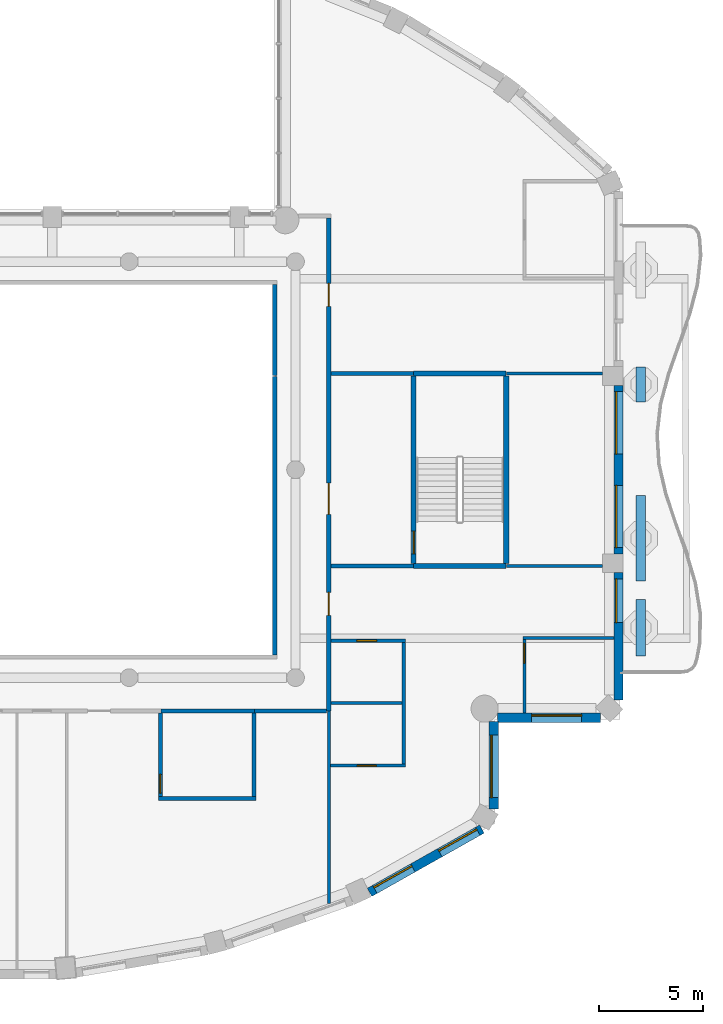
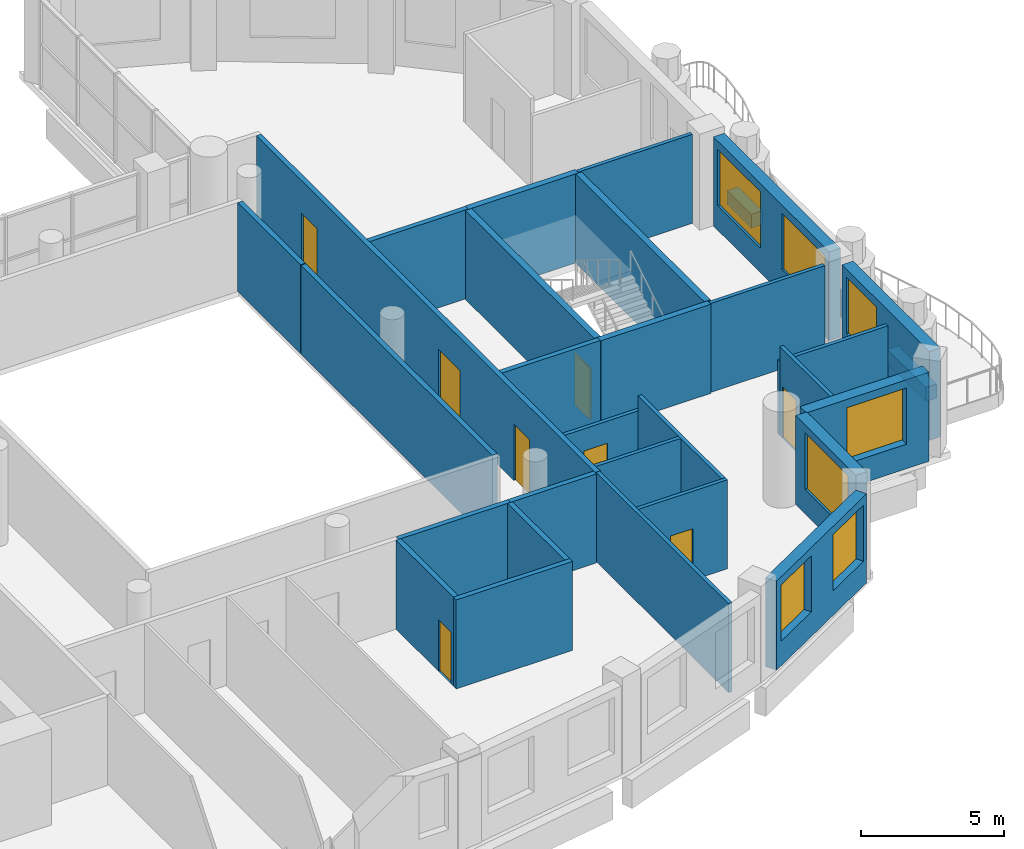
# One storey, part 6 of 15: 31 walls, 8 doors, 7 windows, 15 openings.
"""IFC4 building model written with IfcOpenShell, lengths in metres."""

from ifc_helpers import new_model, si_unit, direction, frame, frame_2d, origin, place, context, subcontext, project, spatial, rectangle, extrude, material, layer, layer_set, type_object, element, fill, save


model = new_model("IFC4")

# Units and contexts
model_context = context("Model", 3, precision=1e-05, world=origin(), true_north=direction((0.0, 1.0)))
body_context = subcontext(model_context, "Body", "Model", "MODEL_VIEW")
ifc_project = project(units=[si_unit("LENGTHUNIT", "METRE"), si_unit("AREAUNIT", "SQUARE_METRE"), si_unit("VOLUMEUNIT", "CUBIC_METRE"), si_unit("PLANEANGLEUNIT", "RADIAN"), si_unit("MASSUNIT", "GRAM", prefix="KILO")], contexts=[model_context])

# Site, building, storey
site_placement = place(None, origin())
site = spatial("IfcSite", under=ifc_project, at=site_placement, CompositionType="ELEMENT")
building_placement = place(site_placement, origin())
building = spatial("IfcBuilding", under=site, at=building_placement, Name="Cypress Arch Tower", CompositionType="ELEMENT")
storey_placement = place(building_placement, frame((0.0, 0.0, 292.60009765625)))
storey = spatial("IfcBuildingStorey", under=building, at=storey_placement, Name="L66", CompositionType="ELEMENT", Elevation=292.60009765625)

# Walls
ifc_material_1 = material(Name="Concrete C40/50, waterproofed", Category="concrete")
ifc_layer_1 = layer(ifc_material_1, 0.449951171875)
ifc_layer_set_1 = layer_set([ifc_layer_1], Name="Balcony planter wall PW450")
wall_type_1 = type_object("IfcWallType", Name="Balcony planter wall PW450", PredefinedType="SOLIDWALL", material=ifc_layer_set_1)
wall_1_placement = place(storey_placement, frame((25.60009765625, -8.949951171875, 0.0), z_axis=(0.0, 0.0, 1.0), x_axis=(0.0, 1.0, 0.0)))
element("IfcWall", 1, at=wall_1_placement, inside=storey, type_object=wall_type_1, Name="Balcony planter wall L66-C17.1", PredefinedType="SOLIDWALL", context=body_context, shape_type="SweptSolid", body=[
    extrude(rectangle(XDim=2.699951171875, YDim=0.449951171875, at=frame_2d((1.35009765625, 0.0))), origin(), (0.0, 0.0, 1.0), 0.599853515625),
])
wall_2_placement = place(storey_placement, frame((25.60009765625, -5.35009765625, 0.0), z_axis=(0.0, 0.0, 1.0), x_axis=(0.0, 1.0, 0.0)))
element("IfcWall", 2, at=wall_2_placement, inside=storey, type_object=wall_type_1, Name="Balcony planter wall L66-C17.2", PredefinedType="SOLIDWALL", context=body_context, shape_type="SweptSolid", body=[
    extrude(rectangle(XDim=4.10009765625, YDim=0.449951171875, at=frame_2d((2.050048828125, 0.0))), origin(), (0.0, 0.0, 1.0), 0.599853515625),
])
wall_3_placement = place(storey_placement, frame((25.60009765625, 3.25, 0.0), z_axis=(0.0, 0.0, 1.0), x_axis=(0.0, 1.0, 0.0)))
element("IfcWall", 3, at=wall_3_placement, inside=storey, type_object=wall_type_1, Name="Balcony planter wall L66-C17.3", PredefinedType="SOLIDWALL", context=body_context, shape_type="SweptSolid", body=[
    extrude(rectangle(XDim=1.69140625, YDim=0.449951171875, at=frame_2d((0.845703125, 0.0))), origin(), (0.0, 0.0, 1.0), 0.599853515625),
])

# Wall, openings, windows
ifc_material_2 = material(Name="Brick (red buff blend)", Category="masonry")
ifc_layer_2 = layer(ifc_material_2, 0.449951171875)
ifc_layer_set_2 = layer_set([ifc_layer_2], Name="Brick pier and spandrel wall BW450")
wall_type_2 = type_object("IfcWallType", Name="Brick pier and spandrel wall BW450", PredefinedType="SOLIDWALL", material=ifc_layer_set_2)
wall_4_placement = place(storey_placement, frame((12.55908203125, -20.320068359375, 0.0), z_axis=(0.0, 0.0, 1.0), x_axis=(0.871065783524, 0.491166367714, 0.0)))
wall_4 = element("IfcWall", 4, at=wall_4_placement, inside=storey, type_object=wall_type_2, Name="Brick wall L66 C14.0", PredefinedType="SOLIDWALL", context=body_context, shape_type="SweptSolid", body=[
    extrude(rectangle(XDim=6.1962890625, YDim=0.449951171875, at=frame_2d((3.09814453125, 0.0))), origin(), (0.0, 0.0, 1.0), 3.7998046875),
])
opening_1_placement = place(wall_4_placement, frame((0.29052734375, 0.0, 1.050048828125)))
opening_1 = element("IfcOpeningElement", 5, at=opening_1_placement, cuts=wall_4, Name="Opening W210O", PredefinedType="OPENING", context=body_context, shape_type="SweptSolid", body=[
    extrude(rectangle(XDim=2.10009765625, YDim=2.39990234375, at=frame_2d((1.050048828125, 1.199951171875))), frame((0.0, 0.23486328125, 0.0), z_axis=(0.0, -1.0, 0.0), x_axis=(1.0, 0.0, 0.0)), (0.0, 0.0, 1.0), 0.469970703125),
])
opening_2_placement = place(wall_4_placement, frame((3.875244140625, 0.0, 1.050048828125)))
opening_2 = element("IfcOpeningElement", 6, at=opening_2_placement, cuts=wall_4, Name="Opening W210O", PredefinedType="OPENING", context=body_context, shape_type="SweptSolid", body=[
    extrude(rectangle(XDim=2.10009765625, YDim=2.39990234375, at=frame_2d((1.050048828125, 1.199951171875))), frame((0.0, 0.23486328125, 0.0), z_axis=(0.0, -1.0, 0.0), x_axis=(1.0, 0.0, 0.0)), (0.0, 0.0, 1.0), 0.469970703125),
])
ifc_material_3 = material(Name="Anodised aluminium, bronze finish, clear low-emissivity double glazing", Category="aluminium")
window_type_1 = type_object("IfcWindowType", Name="Window Office 2100x2400", PartitioningType="SINGLE_PANEL", PredefinedType="WINDOW", material=ifc_material_3)
window_1_placement = place(opening_1_placement, origin())
window_1 = element("IfcWindow", 7, at=window_1_placement, inside=storey, type_object=window_type_1, Name="Window L66 C14.0.1", OverallHeight=2.39990234375, OverallWidth=2.10009765625, PartitioningType="SINGLE_PANEL", PredefinedType="WINDOW", context=body_context, shape_type="SweptSolid", body=[
    extrude(rectangle(XDim=2.10009765625, YDim=2.39990234375, at=frame_2d((1.050048828125, 1.199951171875))), frame((0.0, 0.135009765625, 0.0), z_axis=(0.0, -1.0, 0.0), x_axis=(1.0, 0.0, 0.0)), (0.0, 0.0, 1.0), 0.06005859375),
])
fill(opening_1, window_1)
window_2_placement = place(opening_2_placement, origin())
window_2 = element("IfcWindow", 8, at=window_2_placement, inside=storey, type_object=window_type_1, Name="Window L66 C14.0.2", OverallHeight=2.39990234375, OverallWidth=2.10009765625, PartitioningType="SINGLE_PANEL", PredefinedType="WINDOW", context=body_context, shape_type="SweptSolid", body=[
    extrude(rectangle(XDim=2.10009765625, YDim=2.39990234375, at=frame_2d((1.050048828125, 1.199951171875))), frame((0.0, 0.135009765625, 0.0), z_axis=(0.0, -1.0, 0.0), x_axis=(1.0, 0.0, 0.0)), (0.0, 0.0, 1.0), 0.06005859375),
])
fill(opening_2, window_2)

# Wall, opening, window
wall_5_placement = place(storey_placement, frame((18.52490234375, -16.3037109375, 0.0), z_axis=(0.0, 0.0, 1.0), x_axis=(0.0, 1.0, 0.0)))
wall_5 = element("IfcWall", 9, at=wall_5_placement, inside=storey, type_object=wall_type_2, Name="Brick wall L66 C15.0", PredefinedType="SOLIDWALL", context=body_context, shape_type="SweptSolid", body=[
    extrude(rectangle(XDim=4.2021484375, YDim=0.449951171875, at=frame_2d((2.10107421875, 0.0))), origin(), (0.0, 0.0, 1.0), 3.7998046875),
])
opening_3_placement = place(wall_5_placement, frame((0.541259765625, 0.0, 1.050048828125)))
opening_3 = element("IfcOpeningElement", 10, at=opening_3_placement, cuts=wall_5, Name="Opening W300O", PredefinedType="OPENING", context=body_context, shape_type="SweptSolid", body=[
    extrude(rectangle(XDim=3.0, YDim=2.39990234375, at=frame_2d((1.5, 1.199951171875))), frame((0.0, 0.23486328125, 0.0), z_axis=(0.0, -1.0, 0.0), x_axis=(1.0, 0.0, 0.0)), (0.0, 0.0, 1.0), 0.469970703125),
])
ifc_material_4 = material(Name="Anodised aluminium, bronze finish, clear low-emissivity double glazing", Category="aluminium")
window_type_2 = type_object("IfcWindowType", Name="Window Office 3000x2400", PartitioningType="SINGLE_PANEL", PredefinedType="WINDOW", material=ifc_material_4)
window_3_placement = place(opening_3_placement, origin())
window_3 = element("IfcWindow", 11, at=window_3_placement, inside=storey, type_object=window_type_2, Name="Window L66 C15.0.1", OverallHeight=2.39990234375, OverallWidth=3.0, PartitioningType="SINGLE_PANEL", PredefinedType="WINDOW", context=body_context, shape_type="SweptSolid", body=[
    extrude(rectangle(XDim=3.0, YDim=2.39990234375, at=frame_2d((1.5, 1.199951171875))), frame((0.0, 0.135009765625, 0.0), z_axis=(0.0, -1.0, 0.0), x_axis=(1.0, 0.0, 0.0)), (0.0, 0.0, 1.0), 0.06005859375),
])
fill(opening_3, window_3)

wall_6_placement = place(storey_placement, frame((18.701416015625, -11.925048828125, 0.0), z_axis=(0.0, 0.0, 1.0), x_axis=(1.0, 0.0, 0.0)))
wall_6 = element("IfcWall", 12, at=wall_6_placement, inside=storey, type_object=wall_type_2, Name="Brick wall L66 C16.0", PredefinedType="SOLIDWALL", context=body_context, shape_type="SweptSolid", body=[
    extrude(rectangle(XDim=4.962158203125, YDim=0.449951171875, at=frame_2d((2.48095703125, 0.0))), origin(), (0.0, 0.0, 1.0), 3.7998046875),
])
opening_4_placement = place(wall_6_placement, frame((1.6484375, 0.0, 1.050048828125)))
opening_4 = element("IfcOpeningElement", 13, at=opening_4_placement, cuts=wall_6, Name="Opening W240O", PredefinedType="OPENING", context=body_context, shape_type="SweptSolid", body=[
    extrude(rectangle(XDim=2.39990234375, YDim=2.39990234375, at=frame_2d((1.199951171875, 1.199951171875))), frame((0.0, 0.23486328125, 0.0), z_axis=(0.0, -1.0, 0.0), x_axis=(1.0, 0.0, 0.0)), (0.0, 0.0, 1.0), 0.469970703125),
])
ifc_material_5 = material(Name="Anodised aluminium, bronze finish, clear low-emissivity double glazing", Category="aluminium")
window_type_3 = type_object("IfcWindowType", Name="Window Office 2400x2400", PartitioningType="SINGLE_PANEL", PredefinedType="WINDOW", material=ifc_material_5)
window_4_placement = place(opening_4_placement, origin())
window_4 = element("IfcWindow", 14, at=window_4_placement, inside=storey, type_object=window_type_3, Name="Window L66 C16.0.1", OverallHeight=2.39990234375, OverallWidth=2.39990234375, PartitioningType="SINGLE_PANEL", PredefinedType="WINDOW", context=body_context, shape_type="SweptSolid", body=[
    extrude(rectangle(XDim=2.39990234375, YDim=2.39990234375, at=frame_2d((1.199951171875, 1.199951171875))), frame((0.0, 0.135009765625, 0.0), z_axis=(0.0, -1.0, 0.0), x_axis=(1.0, 0.0, 0.0)), (0.0, 0.0, 1.0), 0.06005859375),
])
fill(opening_4, window_4)

wall_7_placement = place(storey_placement, frame((24.52490234375, -11.063720703125, 0.0), z_axis=(0.0, 0.0, 1.0), x_axis=(0.0, 1.0, 0.0)))
wall_7 = element("IfcWall", 15, at=wall_7_placement, inside=storey, type_object=wall_type_2, Name="Brick wall L66 C17.0", PredefinedType="SOLIDWALL", context=body_context, shape_type="SweptSolid", body=[
    extrude(rectangle(XDim=6.11376953125, YDim=0.449951171875, at=frame_2d((3.056884765625, 0.0))), origin(), (0.0, 0.0, 1.0), 3.7998046875),
])
opening_5_placement = place(wall_7_placement, frame((3.713623046875, 0.0, 1.050048828125)))
opening_5 = element("IfcOpeningElement", 16, at=opening_5_placement, cuts=wall_7, Name="Opening W210OD", PredefinedType="OPENING", context=body_context, shape_type="SweptSolid", body=[
    extrude(rectangle(XDim=2.10009765625, YDim=2.39990234375, at=frame_2d((1.050048828125, 1.199951171875))), frame((0.0, 0.23486328125, 0.0), z_axis=(0.0, -1.0, 0.0), x_axis=(1.0, 0.0, 0.0)), (0.0, 0.0, 1.0), 0.469970703125),
])
ifc_material_6 = material(Name="Anodised aluminium, bronze finish, laminated low-emissivity double glazing, large-missile impact rated", Category="aluminium")
window_type_4 = type_object("IfcWindowType", Name="Window Office 2100x2400 debris-rated", PartitioningType="SINGLE_PANEL", PredefinedType="WINDOW", material=ifc_material_6)
window_5_placement = place(opening_5_placement, origin())
window_5 = element("IfcWindow", 17, at=window_5_placement, inside=storey, type_object=window_type_4, Name="Window L66 C17.0.2", OverallHeight=2.39990234375, OverallWidth=2.10009765625, PartitioningType="SINGLE_PANEL", PredefinedType="WINDOW", context=body_context, shape_type="SweptSolid", body=[
    extrude(rectangle(XDim=2.10009765625, YDim=2.39990234375, at=frame_2d((1.050048828125, 1.199951171875))), frame((0.0, 0.135009765625, 0.0), z_axis=(0.0, -1.0, 0.0), x_axis=(1.0, 0.0, 0.0)), (0.0, 0.0, 1.0), 0.06005859375),
])
fill(opening_5, window_5)

# Wall, openings, windows
wall_8_placement = place(storey_placement, frame((24.52490234375, -4.050048828125, 0.0), z_axis=(0.0, 0.0, 1.0), x_axis=(0.0, 1.0, 0.0)))
wall_8 = element("IfcWall", 18, at=wall_8_placement, inside=storey, type_object=wall_type_2, Name="Brick wall L66 C17.1", PredefinedType="SOLIDWALL", context=body_context, shape_type="SweptSolid", body=[
    extrude(rectangle(XDim=8.10009765625, YDim=0.449951171875, at=frame_2d((4.050048828125, 0.0))), origin(), (0.0, 0.0, 1.0), 3.7998046875),
])
opening_6_placement = place(wall_8_placement, frame((0.300048828125, 0.0, 1.050048828125)))
opening_6 = element("IfcOpeningElement", 19, at=opening_6_placement, cuts=wall_8, Name="Opening W300OD", PredefinedType="OPENING", context=body_context, shape_type="SweptSolid", body=[
    extrude(rectangle(XDim=3.0, YDim=2.39990234375, at=frame_2d((1.5, 1.199951171875))), frame((0.0, 0.23486328125, 0.0), z_axis=(0.0, -1.0, 0.0), x_axis=(1.0, 0.0, 0.0)), (0.0, 0.0, 1.0), 0.469970703125),
])
opening_7_placement = place(wall_8_placement, frame((4.800048828125, 0.0, 1.050048828125)))
opening_7 = element("IfcOpeningElement", 20, at=opening_7_placement, cuts=wall_8, Name="Opening W300OD", PredefinedType="OPENING", context=body_context, shape_type="SweptSolid", body=[
    extrude(rectangle(XDim=3.0, YDim=2.39990234375, at=frame_2d((1.5, 1.199951171875))), frame((0.0, 0.23486328125, 0.0), z_axis=(0.0, -1.0, 0.0), x_axis=(1.0, 0.0, 0.0)), (0.0, 0.0, 1.0), 0.469970703125),
])
ifc_material_7 = material(Name="Anodised aluminium, bronze finish, laminated low-emissivity double glazing, large-missile impact rated", Category="aluminium")
window_type_5 = type_object("IfcWindowType", Name="Window Office 3000x2400 debris-rated", PartitioningType="SINGLE_PANEL", PredefinedType="WINDOW", material=ifc_material_7)
window_6_placement = place(opening_6_placement, origin())
window_6 = element("IfcWindow", 21, at=window_6_placement, inside=storey, type_object=window_type_5, Name="Window L66 C17.1.1", OverallHeight=2.39990234375, OverallWidth=3.0, PartitioningType="SINGLE_PANEL", PredefinedType="WINDOW", context=body_context, shape_type="SweptSolid", body=[
    extrude(rectangle(XDim=3.0, YDim=2.39990234375, at=frame_2d((1.5, 1.199951171875))), frame((0.0, 0.135009765625, 0.0), z_axis=(0.0, -1.0, 0.0), x_axis=(1.0, 0.0, 0.0)), (0.0, 0.0, 1.0), 0.06005859375),
])
fill(opening_6, window_6)
window_7_placement = place(opening_7_placement, origin())
window_7 = element("IfcWindow", 22, at=window_7_placement, inside=storey, type_object=window_type_5, Name="Window L66 C17.1.2", OverallHeight=2.39990234375, OverallWidth=3.0, PartitioningType="SINGLE_PANEL", PredefinedType="WINDOW", context=body_context, shape_type="SweptSolid", body=[
    extrude(rectangle(XDim=3.0, YDim=2.39990234375, at=frame_2d((1.5, 1.199951171875))), frame((0.0, 0.135009765625, 0.0), z_axis=(0.0, -1.0, 0.0), x_axis=(1.0, 0.0, 0.0)), (0.0, 0.0, 1.0), 0.06005859375),
])
fill(opening_7, window_7)

# Walls
ifc_material_8 = material(Name="Concrete blockwork, plastered, rated", Category="masonry")
ifc_layer_3 = layer(ifc_material_8, 0.199951171875)
ifc_layer_set_3 = layer_set([ifc_layer_3], Name="Corridor wall FW200")
wall_type_3 = type_object("IfcWallType", Name="Corridor wall FW200", PredefinedType="PARTITIONING", material=ifc_layer_set_3)
wall_9_placement = place(storey_placement, frame((7.02099609375, -11.60009765625, 0.0), z_axis=(0.0, 0.0, 1.0), x_axis=(1.0, 0.0, 0.0)))
element("IfcWall", 23, at=wall_9_placement, inside=storey, type_object=wall_type_3, Name="Corridor wall", PredefinedType="PARTITIONING", context=body_context, shape_type="SweptSolid", body=[
    extrude(rectangle(XDim=3.47900390625, YDim=0.199951171875, at=frame_2d((1.739501953125, 0.0))), origin(), (0.0, 0.0, 1.0), 3.7998046875),
])
wall_10_placement = place(storey_placement, frame((8.0, -8.89990234375, 0.0), z_axis=(0.0, 0.0, 1.0), x_axis=(0.0, 1.0, 0.0)))
element("IfcWall", 24, at=wall_10_placement, inside=storey, type_object=wall_type_3, Name="Corridor wall", PredefinedType="PARTITIONING", context=body_context, shape_type="SweptSolid", body=[
    extrude(rectangle(XDim=13.3798828125, YDim=0.199951171875, at=frame_2d((6.68994140625, 0.0))), origin(), (0.0, 0.0, 1.0), 3.7998046875),
])
wall_11_placement = place(storey_placement, frame((8.0, 4.52001953125, 0.0), z_axis=(0.0, 0.0, 1.0), x_axis=(0.0, 1.0, 0.0)))
element("IfcWall", 25, at=wall_11_placement, inside=storey, type_object=wall_type_3, Name="Corridor wall", PredefinedType="PARTITIONING", context=body_context, shape_type="SweptSolid", body=[
    extrude(rectangle(XDim=4.3798828125, YDim=0.199951171875, at=frame_2d((2.18994140625, 0.0))), origin(), (0.0, 0.0, 1.0), 3.7998046875),
])

# Wall, openings, doors
wall_12_placement = place(storey_placement, frame((10.60009765625, -11.60009765625, 0.0), z_axis=(0.0, 0.0, 1.0), x_axis=(0.0, 1.0, 0.0)))
wall_12 = element("IfcWall", 26, at=wall_12_placement, inside=storey, type_object=wall_type_3, Name="Corridor wall", PredefinedType="PARTITIONING", context=body_context, shape_type="SweptSolid", body=[
    extrude(rectangle(XDim=23.7001953125, YDim=0.199951171875, at=frame_2d((11.85009765625, 0.0))), origin(), (0.0, 0.0, 1.0), 3.7998046875),
])
opening_8_placement = place(wall_12_placement, frame((9.449951171875, 0.0, 0.0)))
opening_8 = element("IfcOpeningElement", 27, at=opening_8_placement, cuts=wall_12, Name="Opening D07", PredefinedType="OPENING", context=body_context, shape_type="SweptSolid", body=[
    extrude(rectangle(XDim=1.5, YDim=2.39990234375, at=frame_2d((0.75, 1.199951171875))), frame((0.0, 0.10986328125, 0.0), z_axis=(0.0, -1.0, 0.0), x_axis=(1.0, 0.0, 0.0)), (0.0, 0.0, 1.0), 0.219970703125),
])
opening_9_placement = place(wall_12_placement, frame((19.449951171875, 0.0, 0.0)))
opening_9 = element("IfcOpeningElement", 28, at=opening_9_placement, cuts=wall_12, Name="Opening D01", PredefinedType="OPENING", context=body_context, shape_type="SweptSolid", body=[
    extrude(rectangle(XDim=1.10009765625, YDim=2.39990234375, at=frame_2d((0.550048828125, 1.199951171875))), frame((0.0, 0.10986328125, 0.0), z_axis=(0.0, -1.0, 0.0), x_axis=(1.0, 0.0, 0.0)), (0.0, 0.0, 1.0), 0.219970703125),
])
opening_10_placement = place(wall_12_placement, frame((4.60009765625, 0.0, 0.0)))
opening_10 = element("IfcOpeningElement", 29, at=opening_10_placement, cuts=wall_12, Name="Opening D01", PredefinedType="OPENING", context=body_context, shape_type="SweptSolid", body=[
    extrude(rectangle(XDim=1.10009765625, YDim=2.39990234375, at=frame_2d((0.550048828125, 1.199951171875))), frame((0.0, 0.10986328125, 0.0), z_axis=(0.0, -1.0, 0.0), x_axis=(1.0, 0.0, 0.0)), (0.0, 0.0, 1.0), 0.219970703125),
])
ifc_material_9 = material(Name="Steel framed glazed door, fire resisting", Category="steel")
door_type_1 = type_object("IfcDoorType", Name="Lobby door D07 1500x2400", OperationType="DOUBLE_DOOR_SINGLE_SWING", PredefinedType="DOOR", material=ifc_material_9)
door_1_placement = place(opening_8_placement, origin())
door_1 = element("IfcDoor", 30, at=door_1_placement, inside=storey, type_object=door_type_1, Name="Lobby door", OperationType="DOUBLE_DOOR_SINGLE_SWING", OverallHeight=2.39990234375, OverallWidth=1.5, PredefinedType="DOOR", context=body_context, shape_type="SweptSolid", body=[
    extrude(rectangle(XDim=1.5, YDim=2.39990234375, at=frame_2d((0.75, 1.199951171875))), frame((0.0, 0.02490234375, 0.0), z_axis=(0.0, -1.0, 0.0), x_axis=(1.0, 0.0, 0.0)), (0.0, 0.0, 1.0), 0.050048828125),
])
fill(opening_8, door_1)
ifc_material_10 = material(Name="Timber flush door, fire resisting, self-closing", Category="wood")
door_type_2 = type_object("IfcDoorType", Name="Unit entrance door D01 1100x2400", OperationType="SINGLE_SWING_LEFT", PredefinedType="DOOR", material=ifc_material_10)
door_2_placement = place(opening_9_placement, origin())
door_2 = element("IfcDoor", 31, at=door_2_placement, inside=storey, type_object=door_type_2, Name="Unit entrance door", OperationType="SINGLE_SWING_LEFT", OverallHeight=2.39990234375, OverallWidth=1.10009765625, PredefinedType="DOOR", context=body_context, shape_type="SweptSolid", body=[
    extrude(rectangle(XDim=1.10009765625, YDim=2.39990234375, at=frame_2d((0.550048828125, 1.199951171875))), frame((0.0, 0.02490234375, 0.0), z_axis=(0.0, -1.0, 0.0), x_axis=(1.0, 0.0, 0.0)), (0.0, 0.0, 1.0), 0.050048828125),
])
fill(opening_9, door_2)
door_3_placement = place(opening_10_placement, origin())
door_3 = element("IfcDoor", 32, at=door_3_placement, inside=storey, type_object=door_type_2, Name="Unit entrance door", OperationType="SINGLE_SWING_RIGHT", OverallHeight=2.39990234375, OverallWidth=1.10009765625, PredefinedType="DOOR", context=body_context, shape_type="SweptSolid", body=[
    extrude(rectangle(XDim=1.10009765625, YDim=2.39990234375, at=frame_2d((0.550048828125, 1.199951171875))), frame((0.0, 0.02490234375, 0.0), z_axis=(0.0, -1.0, 0.0), x_axis=(1.0, 0.0, 0.0)), (0.0, 0.0, 1.0), 0.050048828125),
])
fill(opening_10, door_3)

# Walls
for number, where, z_axis, x_axis, name in (
    (33, (10.699951171875, -4.625, 0.0), (0.0, 0.0, 1.0), (1.0, 0.0, 0.0), "Corridor wall"),
    (34, (10.699951171875, 4.625, 0.0), (0.0, 0.0, 1.0), (1.0, 0.0, 0.0), "Corridor wall"),
):
    element("IfcWall", number, at=place(storey_placement, frame(where, z_axis=z_axis, x_axis=x_axis)), inside=storey, type_object=wall_type_3, Name=name, PredefinedType="PARTITIONING", context=body_context, shape_type="SweptSolid", body=[
        extrude(rectangle(XDim=3.97509765625, YDim=0.199951171875, at=frame_2d((1.987548828125, 0.0))), origin(), (0.0, 0.0, 1.0), 3.7998046875),
    ])
ifc_material_11 = material(Name="Blockwork, plastered both sides", Category="masonry")
ifc_layer_4 = layer(ifc_material_11, 0.14990234375)
ifc_layer_set_4 = layer_set([ifc_layer_4], Name="Partition PW150")
wall_type_4 = type_object("IfcWallType", Name="Partition PW150", PredefinedType="PARTITIONING", material=ifc_layer_set_4)
wall_13_placement = place(storey_placement, frame((10.60009765625, -20.864013671875, 0.0), z_axis=(0.0, 0.0, 1.0), x_axis=(0.0, 1.0, 0.0)))
element("IfcWall", 35, at=wall_13_placement, inside=storey, type_object=wall_type_4, Name="Partition", PredefinedType="PARTITIONING", context=body_context, shape_type="SweptSolid", body=[
    extrude(rectangle(XDim=9.263916015625, YDim=0.14990234375, at=frame_2d((4.6318359375, 0.0))), origin(), (0.0, 0.0, 1.0), 3.7998046875),
])

# Wall, opening, door
wall_14_placement = place(storey_placement, frame((10.675048828125, -14.22509765625, 0.0), z_axis=(0.0, 0.0, 1.0), x_axis=(1.0, 0.0, 0.0)))
wall_14 = element("IfcWall", 36, at=wall_14_placement, inside=storey, type_object=wall_type_4, Name="Partition", PredefinedType="PARTITIONING", context=body_context, shape_type="SweptSolid", body=[
    extrude(rectangle(XDim=3.599853515625, YDim=0.14990234375, at=frame_2d((1.7998046875, 0.0))), origin(), (0.0, 0.0, 1.0), 3.7998046875),
])
opening_11_placement = place(wall_14_placement, frame((1.300048828125, 0.0, 0.0)))
opening_11 = element("IfcOpeningElement", 37, at=opening_11_placement, cuts=wall_14, Name="Opening D05", PredefinedType="OPENING", context=body_context, shape_type="SweptSolid", body=[
    extrude(rectangle(XDim=0.89990234375, YDim=2.199951171875, at=frame_2d((0.449951171875, 1.10009765625))), frame((0.0, 0.0849609375, 0.0), z_axis=(0.0, -1.0, 0.0), x_axis=(1.0, 0.0, 0.0)), (0.0, 0.0, 1.0), 0.169921875),
])
ifc_material_12 = material(Name="Timber flush door", Category="wood")
door_type_3 = type_object("IfcDoorType", Name="Service door D05 900x2200", OperationType="SINGLE_SWING_LEFT", PredefinedType="DOOR", material=ifc_material_12)
door_4_placement = place(opening_11_placement, origin())
door_4 = element("IfcDoor", 38, at=door_4_placement, inside=storey, type_object=door_type_3, Name="Service door", OperationType="SINGLE_SWING_RIGHT", OverallHeight=2.199951171875, OverallWidth=0.89990234375, PredefinedType="DOOR", context=body_context, shape_type="SweptSolid", body=[
    extrude(rectangle(XDim=0.89990234375, YDim=2.199951171875, at=frame_2d((0.449951171875, 1.10009765625))), frame((0.0, 0.02490234375, 0.0), z_axis=(0.0, -1.0, 0.0), x_axis=(1.0, 0.0, 0.0)), (0.0, 0.0, 1.0), 0.050048828125),
])
fill(opening_11, door_4)

# Wall
wall_15_placement = place(storey_placement, frame((10.699951171875, -11.22509765625, 0.0), z_axis=(0.0, 0.0, 1.0), x_axis=(1.0, 0.0, 0.0)))
element("IfcWall", 39, at=wall_15_placement, inside=storey, type_object=wall_type_4, Name="Partition", PredefinedType="PARTITIONING", context=body_context, shape_type="SweptSolid", body=[
    extrude(rectangle(XDim=3.425048828125, YDim=0.14990234375, at=frame_2d((1.71240234375, 0.0))), origin(), (0.0, 0.0, 1.0), 3.7998046875),
])

# Wall, opening, door
wall_16_placement = place(storey_placement, frame((10.699951171875, -8.22509765625, 0.0), z_axis=(0.0, 0.0, 1.0), x_axis=(1.0, 0.0, 0.0)))
wall_16 = element("IfcWall", 40, at=wall_16_placement, inside=storey, type_object=wall_type_4, Name="Partition", PredefinedType="PARTITIONING", context=body_context, shape_type="SweptSolid", body=[
    extrude(rectangle(XDim=3.574951171875, YDim=0.14990234375, at=frame_2d((1.78759765625, 0.0))), origin(), (0.0, 0.0, 1.0), 3.14990234375),
])
opening_12_placement = place(wall_16_placement, frame((1.25, 0.0, 0.0)))
opening_12 = element("IfcOpeningElement", 41, at=opening_12_placement, cuts=wall_16, Name="Opening D12", PredefinedType="OPENING", context=body_context, shape_type="SweptSolid", body=[
    extrude(rectangle(XDim=0.949951171875, YDim=2.199951171875, at=frame_2d((0.47509765625, 1.10009765625))), frame((0.0, 0.0849609375, 0.0), z_axis=(0.0, -1.0, 0.0), x_axis=(1.0, 0.0, 0.0)), (0.0, 0.0, 1.0), 0.169921875),
])
ifc_material_13 = material(Name="Timber flush door", Category="wood")
door_type_4 = type_object("IfcDoorType", Name="Room door D12 950x2200", OperationType="SINGLE_SWING_LEFT", PredefinedType="DOOR", material=ifc_material_13)
door_5_placement = place(opening_12_placement, origin())
door_5 = element("IfcDoor", 42, at=door_5_placement, inside=storey, type_object=door_type_4, Name="Room door", OperationType="SINGLE_SWING_LEFT", OverallHeight=2.199951171875, OverallWidth=0.949951171875, PredefinedType="DOOR", context=body_context, shape_type="SweptSolid", body=[
    extrude(rectangle(XDim=0.949951171875, YDim=2.199951171875, at=frame_2d((0.47509765625, 1.10009765625))), frame((0.0, 0.02490234375, 0.0), z_axis=(0.0, -1.0, 0.0), x_axis=(1.0, 0.0, 0.0)), (0.0, 0.0, 1.0), 0.050048828125),
])
fill(opening_12, door_5)

# Walls
wall_17_placement = place(storey_placement, frame((14.199951171875, -14.14990234375, 0.0), z_axis=(0.0, 0.0, 1.0), x_axis=(0.0, 1.0, 0.0)))
element("IfcWall", 43, at=wall_17_placement, inside=storey, type_object=wall_type_4, Name="Partition", PredefinedType="PARTITIONING", context=body_context, shape_type="SweptSolid", body=[
    extrude(rectangle(XDim=5.849853515625, YDim=0.14990234375, at=frame_2d((2.9248046875, 0.0))), origin(), (0.0, 0.0, 1.0), 3.7998046875),
])
for number, where, z_axis, x_axis, name in (
    (44, (19.14501953125, -4.625, 0.0), (0.0, 0.0, 1.0), (1.0, 0.0, 0.0), "Partition"),
    (45, (19.14501953125, 4.625, 0.0), (0.0, 0.0, 1.0), (1.0, 0.0, 0.0), "Partition"),
):
    element("IfcWall", number, at=place(storey_placement, frame(where, z_axis=z_axis, x_axis=x_axis)), inside=storey, type_object=wall_type_4, Name=name, PredefinedType="PARTITIONING", context=body_context, shape_type="SweptSolid", body=[
        extrude(rectangle(XDim=4.60498046875, YDim=0.14990234375, at=frame_2d((2.302490234375, 0.0))), origin(), (0.0, 0.0, 1.0), 3.7998046875),
    ])

# Wall, opening, door
wall_18_placement = place(storey_placement, frame((20.0, -11.699951171875, 0.0), z_axis=(0.0, 0.0, 1.0), x_axis=(0.0, 1.0, 0.0)))
wall_18 = element("IfcWall", 46, at=wall_18_placement, inside=storey, type_object=wall_type_4, Name="Partition", PredefinedType="PARTITIONING", context=body_context, shape_type="SweptSolid", body=[
    extrude(rectangle(XDim=3.52490234375, YDim=0.14990234375, at=frame_2d((1.762451171875, 0.0))), origin(), (0.0, 0.0, 1.0), 3.7998046875),
])
opening_13_placement = place(wall_18_placement, frame((2.39990234375, 0.0, 0.0)))
opening_13 = element("IfcOpeningElement", 47, at=opening_13_placement, cuts=wall_18, Name="Opening D12", PredefinedType="OPENING", context=body_context, shape_type="SweptSolid", body=[
    extrude(rectangle(XDim=0.949951171875, YDim=2.199951171875, at=frame_2d((0.47509765625, 1.10009765625))), frame((0.0, 0.0849609375, 0.0), z_axis=(0.0, -1.0, 0.0), x_axis=(1.0, 0.0, 0.0)), (0.0, 0.0, 1.0), 0.169921875),
])
door_6_placement = place(opening_13_placement, origin())
door_6 = element("IfcDoor", 48, at=door_6_placement, inside=storey, type_object=door_type_4, Name="Room door", OperationType="SINGLE_SWING_RIGHT", OverallHeight=2.199951171875, OverallWidth=0.949951171875, PredefinedType="DOOR", context=body_context, shape_type="SweptSolid", body=[
    extrude(rectangle(XDim=0.949951171875, YDim=2.199951171875, at=frame_2d((0.47509765625, 1.10009765625))), frame((0.0, 0.02490234375, 0.0), z_axis=(0.0, -1.0, 0.0), x_axis=(1.0, 0.0, 0.0)), (0.0, 0.0, 1.0), 0.050048828125),
])
fill(opening_13, door_6)

# Walls
wall_19_placement = place(storey_placement, frame((19.925048828125, -8.10009765625, 0.0), z_axis=(0.0, 0.0, 1.0), x_axis=(1.0, 0.0, 0.0)))
element("IfcWall", 49, at=wall_19_placement, inside=storey, type_object=wall_type_4, Name="Partition", PredefinedType="PARTITIONING", context=body_context, shape_type="SweptSolid", body=[
    extrude(rectangle(XDim=4.375, YDim=0.14990234375, at=frame_2d((2.1875, 0.0))), origin(), (0.0, 0.0, 1.0), 3.14990234375),
])
ifc_material_14 = material(Name="Reinforced blockwork, plastered, rated", Category="masonry")
ifc_layer_5 = layer(ifc_material_14, 0.199951171875)
ifc_layer_set_5 = layer_set([ifc_layer_5], Name="Plant and riser wall PL200")
wall_type_5 = type_object("IfcWallType", Name="Plant and riser wall PL200", PredefinedType="PARTITIONING", material=ifc_layer_set_5)
wall_20_placement = place(storey_placement, frame((2.52099609375, -11.60009765625, 0.0), z_axis=(0.0, 0.0, 1.0), x_axis=(1.0, 0.0, 0.0)))
element("IfcWall", 50, at=wall_20_placement, inside=storey, type_object=wall_type_5, Name="Plant and riser wall", PredefinedType="PARTITIONING", context=body_context, shape_type="SweptSolid", body=[
    extrude(rectangle(XDim=4.5, YDim=0.199951171875, at=frame_2d((2.25, 0.0))), origin(), (0.0, 0.0, 1.0), 3.7998046875),
])

# Wall, opening, door
wall_21_placement = place(storey_placement, frame((2.5009765625, -15.699951171875, 0.0), z_axis=(0.0, 0.0, 1.0), x_axis=(0.0, 1.0, 0.0)))
wall_21 = element("IfcWall", 51, at=wall_21_placement, inside=storey, type_object=wall_type_5, Name="Plant and riser wall", PredefinedType="PARTITIONING", context=body_context, shape_type="SweptSolid", body=[
    extrude(rectangle(XDim=4.0, YDim=0.199951171875, at=frame_2d((2.0, 0.0))), origin(), (0.0, 0.0, 1.0), 3.7998046875),
])
opening_14_placement = place(wall_21_placement, frame((0.14990234375, 0.0, 0.0)))
opening_14 = element("IfcOpeningElement", 52, at=opening_14_placement, cuts=wall_21, Name="Opening D05", PredefinedType="OPENING", context=body_context, shape_type="SweptSolid", body=[
    extrude(rectangle(XDim=0.89990234375, YDim=2.199951171875, at=frame_2d((0.449951171875, 1.10009765625))), frame((0.0, 0.10986328125, 0.0), z_axis=(0.0, -1.0, 0.0), x_axis=(1.0, 0.0, 0.0)), (0.0, 0.0, 1.0), 0.219970703125),
])
door_7_placement = place(opening_14_placement, origin())
door_7 = element("IfcDoor", 53, at=door_7_placement, inside=storey, type_object=door_type_3, Name="Service door", OperationType="SINGLE_SWING_RIGHT", OverallHeight=2.199951171875, OverallWidth=0.89990234375, PredefinedType="DOOR", context=body_context, shape_type="SweptSolid", body=[
    extrude(rectangle(XDim=0.89990234375, YDim=2.199951171875, at=frame_2d((0.449951171875, 1.10009765625))), frame((0.0, 0.02490234375, 0.0), z_axis=(0.0, -1.0, 0.0), x_axis=(1.0, 0.0, 0.0)), (0.0, 0.0, 1.0), 0.050048828125),
])
fill(opening_14, door_7)

# Walls
wall_22_placement = place(storey_placement, frame((2.40087890625, -15.800048828125, 0.0), z_axis=(0.0, 0.0, 1.0), x_axis=(1.0, 0.0, 0.0)))
element("IfcWall", 54, at=wall_22_placement, inside=storey, type_object=wall_type_5, Name="Plant and riser wall", PredefinedType="PARTITIONING", context=body_context, shape_type="SweptSolid", body=[
    extrude(rectangle(XDim=4.7001953125, YDim=0.199951171875, at=frame_2d((2.35009765625, 0.0))), origin(), (0.0, 0.0, 1.0), 3.7998046875),
])
wall_23_placement = place(storey_placement, frame((7.0009765625, -15.699951171875, 0.0), z_axis=(0.0, 0.0, 1.0), x_axis=(0.0, 1.0, 0.0)))
element("IfcWall", 55, at=wall_23_placement, inside=storey, type_object=wall_type_5, Name="Plant and riser wall", PredefinedType="PARTITIONING", context=body_context, shape_type="SweptSolid", body=[
    extrude(rectangle(XDim=4.0, YDim=0.199951171875, at=frame_2d((2.0, 0.0))), origin(), (0.0, 0.0, 1.0), 3.7998046875),
])

# Wall, opening, door
ifc_material_15 = material(Name="Concrete C50/60", Category="concrete")
ifc_layer_6 = layer(ifc_material_15, 0.25)
ifc_layer_set_6 = layer_set([ifc_layer_6], Name="Stair enclosure wall SW250")
wall_type_6 = type_object("IfcWallType", Name="Stair enclosure wall SW250", PredefinedType="SHEAR", material=ifc_layer_set_6)
wall_24_placement = place(storey_placement, frame((14.675048828125, -4.5, 0.0), z_axis=(0.0, 0.0, 1.0), x_axis=(0.0, 1.0, 0.0)))
wall_24 = element("IfcWall", 56, at=wall_24_placement, inside=storey, type_object=wall_type_6, Name="Stair enclosure wall", PredefinedType="SHEAR", context=body_context, shape_type="SweptSolid", body=[
    extrude(rectangle(XDim=9.0, YDim=0.25, at=frame_2d((4.5, 0.0))), origin(), (0.0, 0.0, 1.0), 3.7998046875),
])
opening_15_placement = place(wall_24_placement, frame((0.449951171875, 0.0, 0.0)))
opening_15 = element("IfcOpeningElement", 57, at=opening_15_placement, cuts=wall_24, Name="Opening D06", PredefinedType="OPENING", context=body_context, shape_type="SweptSolid", body=[
    extrude(rectangle(XDim=1.10009765625, YDim=2.199951171875, at=frame_2d((0.550048828125, 1.10009765625))), frame((0.0, 0.135009765625, 0.0), z_axis=(0.0, -1.0, 0.0), x_axis=(1.0, 0.0, 0.0)), (0.0, 0.0, 1.0), 0.27001953125),
])
ifc_material_16 = material(Name="Steel door, fire resisting, panic bar", Category="steel")
door_type_5 = type_object("IfcDoorType", Name="Stair door D06 1100x2200", OperationType="SINGLE_SWING_LEFT", PredefinedType="DOOR", material=ifc_material_16)
door_8_placement = place(opening_15_placement, origin())
door_8 = element("IfcDoor", 58, at=door_8_placement, inside=storey, type_object=door_type_5, Name="Stair door", OperationType="SINGLE_SWING_RIGHT", OverallHeight=2.199951171875, OverallWidth=1.10009765625, PredefinedType="DOOR", context=body_context, shape_type="SweptSolid", body=[
    extrude(rectangle(XDim=1.10009765625, YDim=2.199951171875, at=frame_2d((0.550048828125, 1.10009765625))), frame((0.0, 0.02490234375, 0.0), z_axis=(0.0, -1.0, 0.0), x_axis=(1.0, 0.0, 0.0)), (0.0, 0.0, 1.0), 0.050048828125),
])
fill(opening_15, door_8)

# Walls
for number, where, z_axis, x_axis, name in (
    (59, (14.675048828125, -4.625, 0.0), (0.0, 0.0, 1.0), (1.0, 0.0, 0.0), "Stair enclosure wall"),
    (60, (14.675048828125, 4.625, 0.0), (0.0, 0.0, 1.0), (1.0, 0.0, 0.0), "Stair enclosure wall"),
):
    element("IfcWall", number, at=place(storey_placement, frame(where, z_axis=z_axis, x_axis=x_axis)), inside=storey, type_object=wall_type_6, Name=name, PredefinedType="SHEAR", context=body_context, shape_type="SweptSolid", body=[
        extrude(rectangle(XDim=4.449951171875, YDim=0.25, at=frame_2d((2.22509765625, 0.0))), origin(), (0.0, 0.0, 1.0), 3.7998046875),
    ])
wall_25_placement = place(storey_placement, frame((19.125, -4.5, 0.0), z_axis=(0.0, 0.0, 1.0), x_axis=(0.0, 1.0, 0.0)))
element("IfcWall", 61, at=wall_25_placement, inside=storey, type_object=wall_type_6, Name="Stair enclosure wall", PredefinedType="SHEAR", context=body_context, shape_type="SweptSolid", body=[
    extrude(rectangle(XDim=9.0, YDim=0.25, at=frame_2d((4.5, 0.0))), origin(), (0.0, 0.0, 1.0), 3.7998046875),
])

save(model, "model.ifc")
